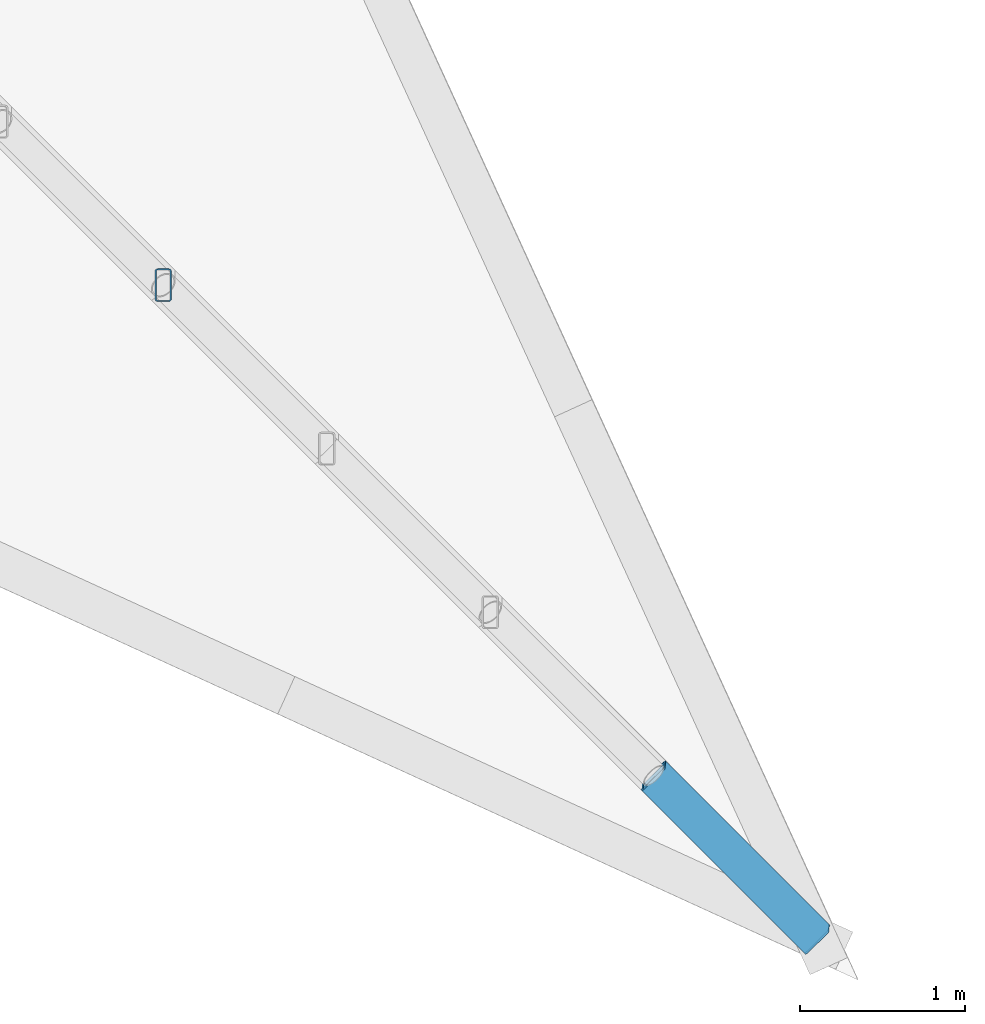
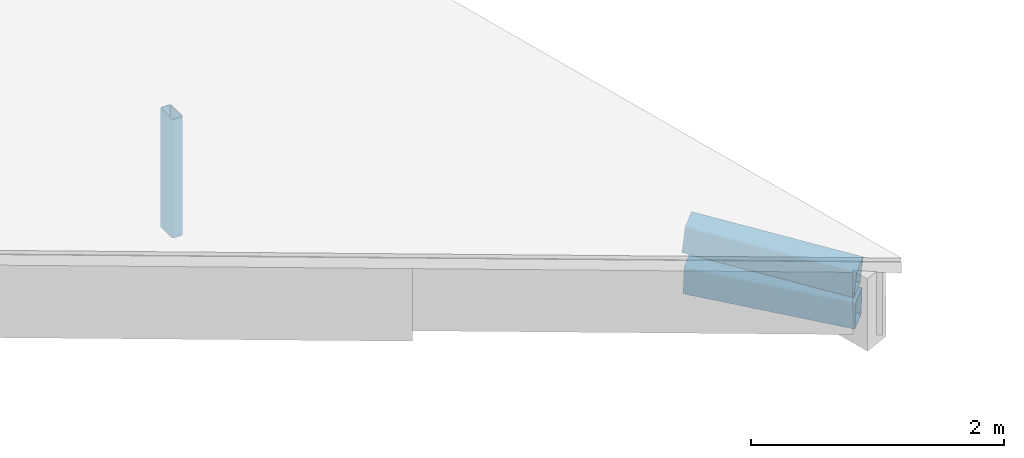
# One storey, part 17 of 56: 3 members.
"""IFC4 building model written with IfcOpenShell, lengths in metres."""

from ifc_helpers import new_model, si_unit, direction, frame, origin, origin_2d, place, context, subcontext, project, spatial, hollow_rectangle, extrude, material, material_profile, profile_set, type_object, element, save


model = new_model("IFC4")

# Units and contexts
model_context = context("Model", 3, precision=1e-05, world=origin(), true_north=direction((0.0, 1.0)))
body_context = subcontext(model_context, "Body", "Model", "MODEL_VIEW")
ifc_project = project(units=[si_unit("LENGTHUNIT", "METRE"), si_unit("AREAUNIT", "SQUARE_METRE"), si_unit("VOLUMEUNIT", "CUBIC_METRE"), si_unit("PLANEANGLEUNIT", "RADIAN"), si_unit("MASSUNIT", "GRAM", prefix="KILO")], contexts=[model_context])

# Site, building, storey
site_placement = place(None, origin())
site = spatial("IfcSite", under=ifc_project, at=site_placement, CompositionType="ELEMENT")
building_placement = place(site_placement, origin())
building = spatial("IfcBuilding", under=site, at=building_placement, Name="Magnolia Steps Interchange", CompositionType="ELEMENT")
storey_placement = place(building_placement, frame((0.0, 0.0, 8.699951171875)))
storey = spatial("IfcBuildingStorey", under=building, at=storey_placement, Name="L02", CompositionType="ELEMENT", Elevation=8.699951171875)

# Members
ifc_material_1 = material(Name="Steel Q355B", Category="steel")
ifc_material_profile_1 = material_profile(ifc_material_1, hollow_rectangle(XDim=0.199951171875, YDim=0.300048828125, WallThickness=0.011962890625, InnerFilletRadius=0.011962890625, OuterFilletRadius=0.02392578125, at=origin_2d()), Name="RHS300x200x12")
ifc_profile_set_1 = profile_set([ifc_material_profile_1], Name="Steel Q355B")
member_type_1 = type_object("IfcMemberType", Name="Roof truss RHS300x200x12", PredefinedType="USERDEFINED", material=ifc_profile_set_1)
member_1_placement = place(storey_placement, frame((126.0927734375, 34.307373046875, 0.6142578125), z_axis=(0.701185000648, -0.701357324315, -0.12820880818), x_axis=(0.712979375335, 0.689736989529, 0.12618754147)))
element("IfcMember", 1, at=member_1_placement, inside=storey, type_object=member_type_1, Name="Spike truss SP-H-SE top chord", ObjectType="Roof truss", PredefinedType="USERDEFINED", context=body_context, shape_type="SweptSolid", body=[
    extrude(hollow_rectangle(XDim=0.199951171875, YDim=0.300048828125, WallThickness=0.011962890625, InnerFilletRadius=0.011962890625, OuterFilletRadius=0.02392578125, at=origin_2d()), origin(), (0.0, 0.0, 1.0), 1.416748046875),
])
member_2_placement = place(storey_placement, frame((126.0927734375, 34.307373046875, 0.21923828125), z_axis=(0.705678649121, -0.705852077149, -0.061566950218), x_axis=(0.706971005005, 0.695695750138, 0.12727694733)))
element("IfcMember", 2, at=member_2_placement, inside=storey, type_object=member_type_1, Name="Spike truss SP-H-SE bottom chord", ObjectType="Roof truss", PredefinedType="USERDEFINED", context=body_context, shape_type="SweptSolid", body=[
    extrude(hollow_rectangle(XDim=0.199951171875, YDim=0.300048828125, WallThickness=0.011962890625, InnerFilletRadius=0.011962890625, OuterFilletRadius=0.02392578125, at=origin_2d()), origin(), (0.0, 0.0, 1.0), 1.40771484375),
])
ifc_material_2 = material(Name="Steel Q355B", Category="steel")
ifc_material_profile_2 = material_profile(ifc_material_2, hollow_rectangle(XDim=0.10009765625, YDim=0.199951171875, WallThickness=0.008056640625, InnerFilletRadius=0.008056640625, OuterFilletRadius=0.01611328125, at=origin_2d()), Name="RHS200x100x8")
ifc_profile_set_2 = profile_set([ifc_material_profile_2], Name="Steel Q355B")
member_type_2 = type_object("IfcMemberType", Name="Roof truss post RHS200x100x8", PredefinedType="USERDEFINED", material=ifc_profile_set_2)
member_3_placement = place(storey_placement, frame((123.112060546875, 37.2880859375, -0.133544921875), z_axis=(0.0, 0.0, 1.0), x_axis=(1.0, 0.0, 0.0)))
element("IfcMember", 3, at=member_3_placement, inside=storey, type_object=member_type_2, Name="Spike truss SP-H-SE post", ObjectType="Roof truss post", PredefinedType="USERDEFINED", context=body_context, shape_type="SweptSolid", body=[
    extrude(hollow_rectangle(XDim=0.10009765625, YDim=0.199951171875, WallThickness=0.008056640625, InnerFilletRadius=0.008056640625, OuterFilletRadius=0.01611328125, at=origin_2d()), origin(), (0.0, 0.0, 1.0), 1.14306640625),
])

save(model, "model.ifc")
